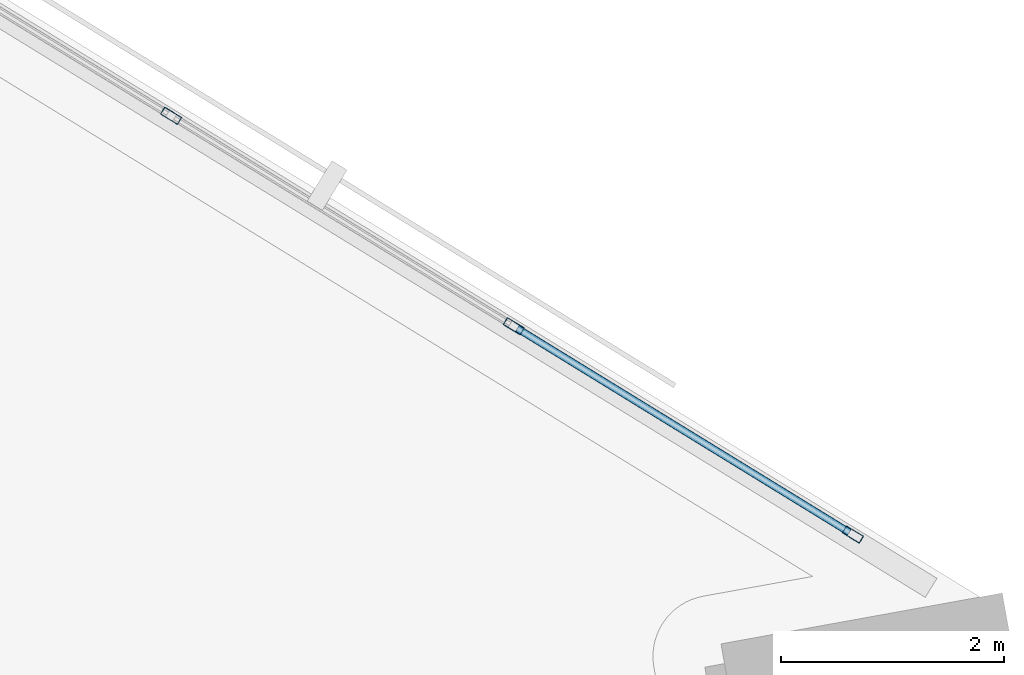
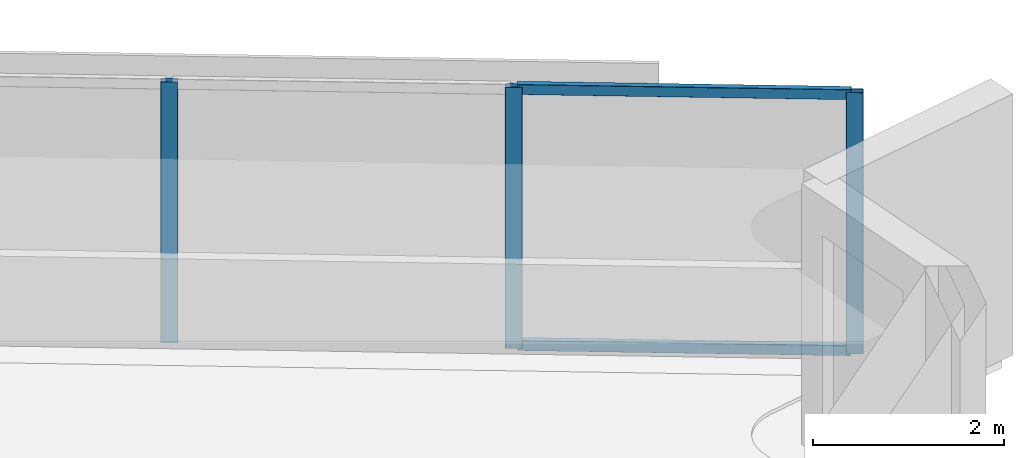
# One storey, part 4 of 18: 5 members, 1 element without a shape of its own.
"""IFC4 building model written with IfcOpenShell, lengths in metres."""

from ifc_helpers import new_model, si_unit, direction, frame, origin, origin_2d, place, context, subcontext, project, spatial, hollow_rectangle, extrude, material, material_profile, profile_set, type_object, element, aggregate, save


model = new_model("IFC4")

# Units and contexts
model_context = context("Model", 3, precision=1e-05, world=origin(), true_north=direction((0.0, 1.0)))
body_context = subcontext(model_context, "Body", "Model", "MODEL_VIEW")
ifc_project = project(units=[si_unit("LENGTHUNIT", "METRE"), si_unit("AREAUNIT", "SQUARE_METRE"), si_unit("VOLUMEUNIT", "CUBIC_METRE"), si_unit("PLANEANGLEUNIT", "RADIAN"), si_unit("MASSUNIT", "GRAM", prefix="KILO")], contexts=[model_context])

# Site, building, storey
site_placement = place(None, origin())
site = spatial("IfcSite", under=ifc_project, at=site_placement, CompositionType="ELEMENT")
building_placement = place(site_placement, origin())
building = spatial("IfcBuilding", under=site, at=building_placement, Name="Narakoshi Arena Tower", CompositionType="ELEMENT")
storey_placement = place(building_placement, frame((0.0, 0.0, 110.10009765625)))
storey = spatial("IfcBuildingStorey", under=building, at=storey_placement, Name="L29", CompositionType="ELEMENT", Elevation=110.10009765625)

# Curtain wall, members
ifc_material = material(Name="Anodised bronze aluminium 6063-T6", Category="aluminium")
curtain_wall_type = type_object("IfcCurtainWallType", Name="CW-HYP-LOW", PredefinedType="NOTDEFINED", material=ifc_material)
curtain_wall_placement = place(storey_placement, origin())
curtain_wall = element("IfcCurtainWall", 1, at=curtain_wall_placement, inside=storey, type_object=curtain_wall_type, Name="L29 Folded Hypotenuse Curtain Wall 1-1", PredefinedType="NOTDEFINED")
ifc_material_profile_1 = material_profile(ifc_material, hollow_rectangle(XDim=0.074951171875, YDim=0.179931640625, WallThickness=0.00390625, OuterFilletRadius=0.0048828125, at=origin_2d()), Name="MUL180x75x4")
ifc_profile_set_1 = profile_set([ifc_material_profile_1], Name="Anodised bronze aluminium 6063-T6")
member_type_1 = type_object("IfcMemberType", Name="MEM-MUL-180", PredefinedType="MULLION", material=ifc_profile_set_1)
member_1_placement = place(storey_placement, frame((119.16259765625, 43.548583984375, 0.0), z_axis=(0.0, 0.0, 1.0), x_axis=(-0.523357676535, -0.852113104237, 0.0)))
member_1 = element("IfcMember", 2, at=member_1_placement, type_object=member_type_1, Name="CW-01 mullion 1", PredefinedType="MULLION", context=body_context, shape_type="SweptSolid", body=[
    extrude(hollow_rectangle(XDim=0.074951171875, YDim=0.179931640625, WallThickness=0.00390625, OuterFilletRadius=0.0048828125, at=origin_2d()), origin(), (0.0, 0.0, 1.0), 3.33984375),
])
member_2_placement = place(storey_placement, frame((116.11767578125, 45.418701171875, 0.0), z_axis=(0.0, 0.0, 1.0), x_axis=(-0.523357676535, -0.852113104237, 0.0)))
member_2 = element("IfcMember", 3, at=member_2_placement, type_object=member_type_1, Name="CW-01 mullion 2", PredefinedType="MULLION", context=body_context, shape_type="SweptSolid", body=[
    extrude(hollow_rectangle(XDim=0.074951171875, YDim=0.179931640625, WallThickness=0.00390625, OuterFilletRadius=0.0048828125, at=origin_2d()), origin(), (0.0, 0.0, 1.0), 3.33984375),
])
member_3_placement = place(storey_placement, frame((113.040771484375, 47.30859375, 0.0), z_axis=(0.0, 0.0, 1.0), x_axis=(-0.523357676535, -0.852113104237, 0.0)))
member_3 = element("IfcMember", 4, at=member_3_placement, type_object=member_type_1, Name="CW-01 mullion 3", PredefinedType="MULLION", context=body_context, shape_type="SweptSolid", body=[
    extrude(hollow_rectangle(XDim=0.074951171875, YDim=0.179931640625, WallThickness=0.00390625, OuterFilletRadius=0.0048828125, at=origin_2d()), origin(), (0.0, 0.0, 1.0), 3.33984375),
])
ifc_material_profile_2 = material_profile(ifc_material, hollow_rectangle(XDim=0.06494140625, YDim=0.1298828125, WallThickness=0.00390625, OuterFilletRadius=0.0048828125, at=origin_2d()), Name="TRN130x65x4")
ifc_profile_set_2 = profile_set([ifc_material_profile_2], Name="Anodised bronze aluminium 6063-T6")
member_type_2 = type_object("IfcMemberType", Name="MEM-TRN-130", PredefinedType="USERDEFINED", material=ifc_profile_set_2)
member_4_placement = place(storey_placement, frame((119.130615234375, 43.568359375, 0.032470703125), z_axis=(-0.852120447829, 0.52334571976, 0.0), x_axis=(-0.52334571976, -0.852120447829, 0.0)))
member_4 = element("IfcMember", 5, at=member_4_placement, type_object=member_type_2, Name="CW-01 transom 1.1", ObjectType="TRANSOM", PredefinedType="USERDEFINED", context=body_context, shape_type="SweptSolid", body=[
    extrude(hollow_rectangle(XDim=0.06494140625, YDim=0.1298828125, WallThickness=0.00390625, OuterFilletRadius=0.0048828125, at=origin_2d()), origin(), (0.0, 0.0, 1.0), 3.498291015625),
])
member_5_placement = place(storey_placement, frame((119.130615234375, 43.568359375, 3.307373046875), z_axis=(-0.852120447829, 0.52334571976, 0.0), x_axis=(-0.52334571976, -0.852120447829, 0.0)))
member_5 = element("IfcMember", 6, at=member_5_placement, type_object=member_type_2, Name="CW-01 transom 1.2", ObjectType="TRANSOM", PredefinedType="USERDEFINED", context=body_context, shape_type="SweptSolid", body=[
    extrude(hollow_rectangle(XDim=0.06494140625, YDim=0.1298828125, WallThickness=0.00390625, OuterFilletRadius=0.0048828125, at=origin_2d()), origin(), (0.0, 0.0, 1.0), 3.498291015625),
])
aggregate(curtain_wall, [member_1, member_2, member_3, member_4, member_5])

save(model, "model.ifc")
